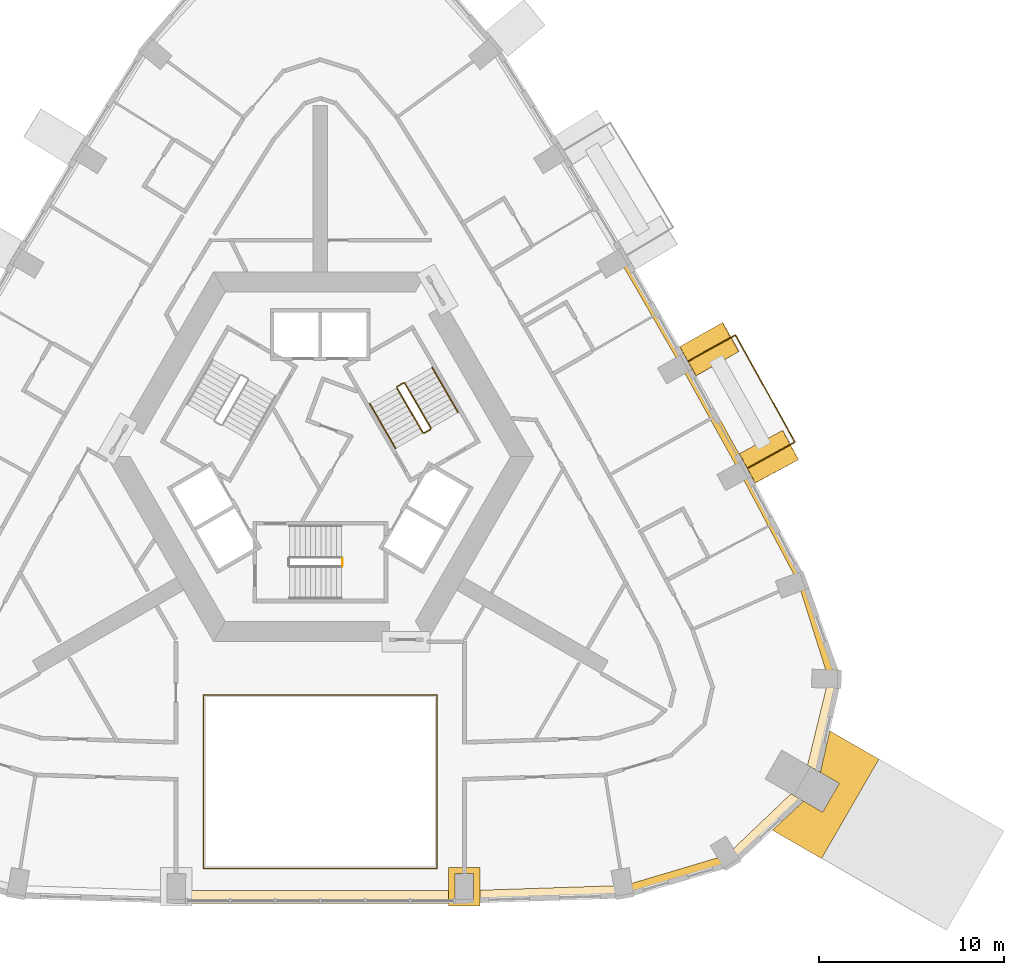
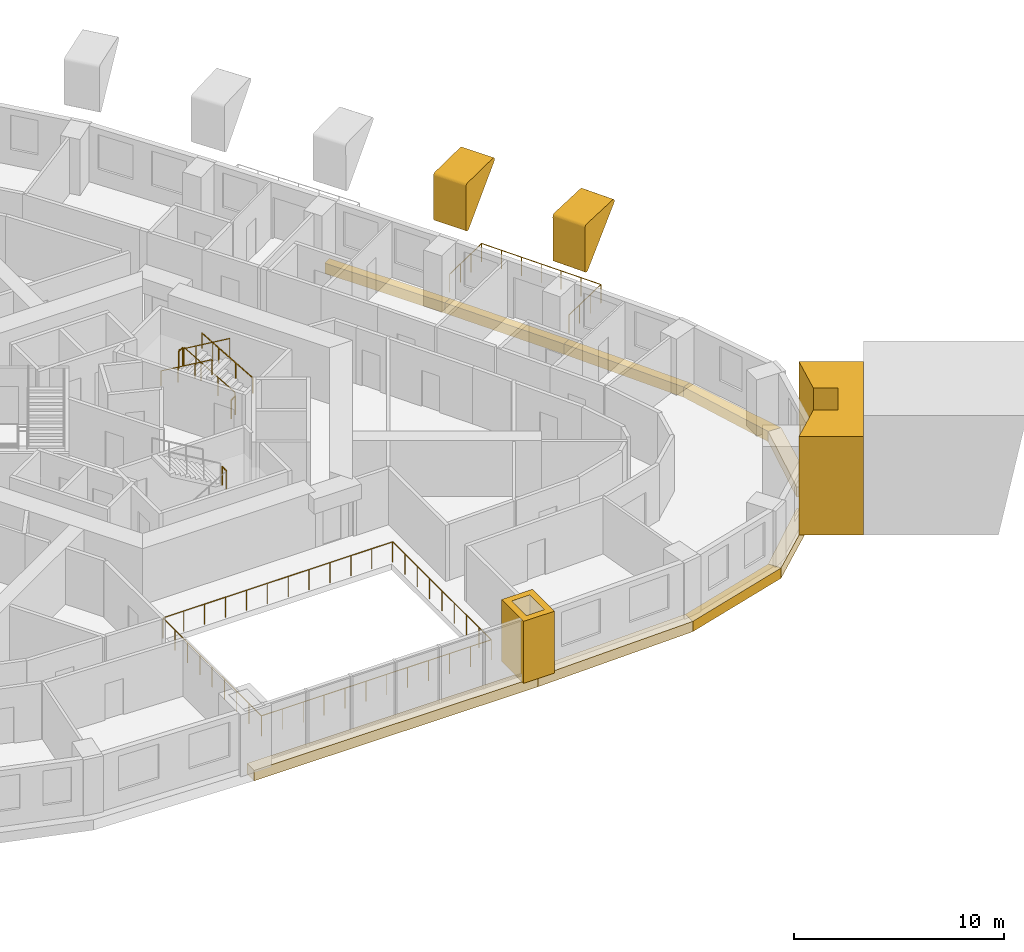
# One storey, part 11 of 12: 13 coverings, 9 railings.
"""IFC4 building model written with IfcOpenShell, lengths in metres."""

from ifc_helpers import new_model, si_unit, direction, frame, origin, origin_2d, place, context, subcontext, project, spatial, polyline, circle, outline, extrude, material, type_object, element, save


model = new_model("IFC4")

# Units and contexts
model_context = context("Model", 3, precision=1e-05, world=origin(), true_north=direction((0.0, 1.0)))
body_context = subcontext(model_context, "Body", "Model", "MODEL_VIEW")
ifc_project = project(units=[si_unit("LENGTHUNIT", "METRE"), si_unit("AREAUNIT", "SQUARE_METRE"), si_unit("VOLUMEUNIT", "CUBIC_METRE"), si_unit("PLANEANGLEUNIT", "RADIAN"), si_unit("MASSUNIT", "GRAM", prefix="KILO")], contexts=[model_context])

# Site, building, storey
site_placement = place(None, origin())
site = spatial("IfcSite", under=ifc_project, at=site_placement, CompositionType="ELEMENT")
building_placement = place(site_placement, origin())
building = spatial("IfcBuilding", under=site, at=building_placement, Name="Entoto Arch Interchange Tower", CompositionType="ELEMENT")
storey_placement = place(building_placement, frame((0.0, 0.0, 273.800048828125)))
storey = spatial("IfcBuildingStorey", under=building, at=storey_placement, Name="L63", CompositionType="ELEMENT", Elevation=273.800048828125)

# Railings
ifc_material_1 = material(Name="Stainless steel 1.4301", Category="steel")
railing_type_1 = type_object("IfcRailingType", Name="ATRIUM GUARD 1200 STEEL AND GLASS", PredefinedType="GUARDRAIL", material=ifc_material_1)
railing_1_placement = place(storey_placement, frame((6.320068359375, -19.77001953125, 0.0)))
element("IfcRailing", 1, at=railing_1_placement, inside=storey, type_object=railing_type_1, Name="Atrium guard L63", PredefinedType="GUARDRAIL", context=body_context, shape_type="SweptSolid", body=[
    extrude(circle(Radius=0.02392578125, at=origin_2d()), frame((0.0, 0.0, 1.17578125), z_axis=(-1.0, 0.0, 0.0), x_axis=(0.0, -1.0, 0.0)), (0.0, 0.0, 1.0), 12.64013671875),
    extrude(circle(Radius=0.02392578125, at=origin_2d()), frame((-12.64013671875, 0.0, 1.17578125), z_axis=(0.0, 1.0, 0.0), x_axis=(-1.0, 0.0, 0.0)), (0.0, 0.0, 1.0), 9.39013671875),
    extrude(circle(Radius=0.02392578125, at=origin_2d()), frame((-12.64013671875, 9.39013671875, 1.17578125), z_axis=(1.0, 0.0, 0.0), x_axis=(0.0, 1.0, 0.0)), (0.0, 0.0, 1.0), 12.64013671875),
    extrude(circle(Radius=0.02392578125, at=origin_2d()), frame((0.0, 9.39013671875, 1.17578125), z_axis=(0.0, -1.0, 0.0), x_axis=(1.0, 0.0, 0.0)), (0.0, 0.0, 1.0), 9.39013671875),
    extrude(circle(Radius=0.02099609375, at=origin_2d()), origin(), (0.0, 0.0, 1.0), 1.15185546875),
    extrude(circle(Radius=0.02099609375, at=origin_2d()), frame((-1.149169921875, 0.0, 0.0)), (0.0, 0.0, 1.0), 1.15185546875),
    extrude(circle(Radius=0.02099609375, at=origin_2d()), frame((-2.298095703125, 0.0, 0.0)), (0.0, 0.0, 1.0), 1.15185546875),
    extrude(circle(Radius=0.02099609375, at=origin_2d()), frame((-3.447265625, 0.0, 0.0)), (0.0, 0.0, 1.0), 1.15185546875),
    extrude(circle(Radius=0.02099609375, at=origin_2d()), frame((-4.596435546875, 0.0, 0.0)), (0.0, 0.0, 1.0), 1.15185546875),
    extrude(circle(Radius=0.02099609375, at=origin_2d()), frame((-5.74560546875, 0.0, 0.0)), (0.0, 0.0, 1.0), 1.15185546875),
    extrude(circle(Radius=0.02099609375, at=origin_2d()), frame((-6.89453125, 0.0, 0.0)), (0.0, 0.0, 1.0), 1.15185546875),
    extrude(circle(Radius=0.02099609375, at=origin_2d()), frame((-8.043701171875, 0.0, 0.0)), (0.0, 0.0, 1.0), 1.15185546875),
    extrude(circle(Radius=0.02099609375, at=origin_2d()), frame((-9.19287109375, 0.0, 0.0)), (0.0, 0.0, 1.0), 1.15185546875),
    extrude(circle(Radius=0.02099609375, at=origin_2d()), frame((-10.342041015625, 0.0, 0.0)), (0.0, 0.0, 1.0), 1.15185546875),
    extrude(circle(Radius=0.02099609375, at=origin_2d()), frame((-11.490966796875, 0.0, 0.0)), (0.0, 0.0, 1.0), 1.15185546875),
    extrude(circle(Radius=0.02099609375, at=origin_2d()), frame((-12.64013671875, 0.0, 0.0)), (0.0, 0.0, 1.0), 1.15185546875),
    extrude(circle(Radius=0.02099609375, at=origin_2d()), frame((-12.64013671875, 1.173828125, 0.0)), (0.0, 0.0, 1.0), 1.15185546875),
    extrude(circle(Radius=0.02099609375, at=origin_2d()), frame((-12.64013671875, 2.34765625, 0.0)), (0.0, 0.0, 1.0), 1.15185546875),
    extrude(circle(Radius=0.02099609375, at=origin_2d()), frame((-12.64013671875, 3.521240234375, 0.0)), (0.0, 0.0, 1.0), 1.15185546875),
    extrude(circle(Radius=0.02099609375, at=origin_2d()), frame((-12.64013671875, 4.695068359375, 0.0)), (0.0, 0.0, 1.0), 1.15185546875),
    extrude(circle(Radius=0.02099609375, at=origin_2d()), frame((-12.64013671875, 5.868896484375, 0.0)), (0.0, 0.0, 1.0), 1.15185546875),
    extrude(circle(Radius=0.02099609375, at=origin_2d()), frame((-12.64013671875, 7.04248046875, 0.0)), (0.0, 0.0, 1.0), 1.15185546875),
    extrude(circle(Radius=0.02099609375, at=origin_2d()), frame((-12.64013671875, 8.21630859375, 0.0)), (0.0, 0.0, 1.0), 1.15185546875),
    extrude(circle(Radius=0.02099609375, at=origin_2d()), frame((-12.64013671875, 9.39013671875, 0.0)), (0.0, 0.0, 1.0), 1.15185546875),
    extrude(circle(Radius=0.02099609375, at=origin_2d()), frame((-11.490966796875, 9.39013671875, 0.0)), (0.0, 0.0, 1.0), 1.15185546875),
    extrude(circle(Radius=0.02099609375, at=origin_2d()), frame((-10.342041015625, 9.39013671875, 0.0)), (0.0, 0.0, 1.0), 1.15185546875),
    extrude(circle(Radius=0.02099609375, at=origin_2d()), frame((-9.19287109375, 9.39013671875, 0.0)), (0.0, 0.0, 1.0), 1.15185546875),
    extrude(circle(Radius=0.02099609375, at=origin_2d()), frame((-8.043701171875, 9.39013671875, 0.0)), (0.0, 0.0, 1.0), 1.15185546875),
    extrude(circle(Radius=0.02099609375, at=origin_2d()), frame((-6.89453125, 9.39013671875, 0.0)), (0.0, 0.0, 1.0), 1.15185546875),
    extrude(circle(Radius=0.02099609375, at=origin_2d()), frame((-5.74560546875, 9.39013671875, 0.0)), (0.0, 0.0, 1.0), 1.15185546875),
    extrude(circle(Radius=0.02099609375, at=origin_2d()), frame((-4.596435546875, 9.39013671875, 0.0)), (0.0, 0.0, 1.0), 1.15185546875),
    extrude(circle(Radius=0.02099609375, at=origin_2d()), frame((-3.447265625, 9.39013671875, 0.0)), (0.0, 0.0, 1.0), 1.15185546875),
    extrude(circle(Radius=0.02099609375, at=origin_2d()), frame((-2.298095703125, 9.39013671875, 0.0)), (0.0, 0.0, 1.0), 1.15185546875),
    extrude(circle(Radius=0.02099609375, at=origin_2d()), frame((-1.149169921875, 9.39013671875, 0.0)), (0.0, 0.0, 1.0), 1.15185546875),
    extrude(circle(Radius=0.02099609375, at=origin_2d()), frame((0.0, 9.39013671875, 0.0)), (0.0, 0.0, 1.0), 1.15185546875),
    extrude(circle(Radius=0.02099609375, at=origin_2d()), frame((0.0, 8.21630859375, 0.0)), (0.0, 0.0, 1.0), 1.15185546875),
    extrude(circle(Radius=0.02099609375, at=origin_2d()), frame((0.0, 7.04248046875, 0.0)), (0.0, 0.0, 1.0), 1.15185546875),
    extrude(circle(Radius=0.02099609375, at=origin_2d()), frame((0.0, 5.868896484375, 0.0)), (0.0, 0.0, 1.0), 1.15185546875),
    extrude(circle(Radius=0.02099609375, at=origin_2d()), frame((0.0, 4.695068359375, 0.0)), (0.0, 0.0, 1.0), 1.15185546875),
    extrude(circle(Radius=0.02099609375, at=origin_2d()), frame((0.0, 3.521240234375, 0.0)), (0.0, 0.0, 1.0), 1.15185546875),
    extrude(circle(Radius=0.02099609375, at=origin_2d()), frame((0.0, 2.34765625, 0.0)), (0.0, 0.0, 1.0), 1.15185546875),
    extrude(circle(Radius=0.02099609375, at=origin_2d()), frame((0.0, 1.173828125, 0.0)), (0.0, 0.0, 1.0), 1.15185546875),
])
railing_type_2 = type_object("IfcRailingType", Name="GUARD 1100 STEEL AND GLASS", PredefinedType="GUARDRAIL", material=ifc_material_1)
railing_2_placement = place(storey_placement, frame((23.083984375, 1.860107421875, 0.0)))
element("IfcRailing", 2, at=railing_2_placement, inside=storey, type_object=railing_type_2, Name="Balcony guard NE-02 L63", PredefinedType="GUARDRAIL", context=body_context, shape_type="SweptSolid", body=[
    extrude(circle(Radius=0.02392578125, at=origin_2d()), frame((0.0, 0.0, 1.076171875), z_axis=(0.874512246935, 0.485003432938, 0.0), x_axis=(-0.485003432938, 0.874512246935, 0.0)), (0.0, 0.0, 1.0), 2.9501953125),
    extrude(circle(Radius=0.02392578125, at=origin_2d()), frame((2.580078125, 1.430908203125, 1.076171875), z_axis=(-0.485007243509, 0.874510133586, 0.0), x_axis=(-0.874510133586, -0.485007243509, 0.0)), (0.0, 0.0, 1.0), 6.620849609375),
    extrude(circle(Radius=0.02392578125, at=origin_2d()), frame((-0.631103515625, 7.220947265625, 1.076171875), z_axis=(-0.874457676154, -0.485101816752, 0.0), x_axis=(0.485101816752, -0.874457676154, 0.0)), (0.0, 0.0, 1.0), 2.9501953125),
    extrude(circle(Radius=0.02099609375, at=origin_2d()), origin(), (0.0, 0.0, 1.0), 1.052001953125),
    extrude(circle(Radius=0.02099609375, at=origin_2d()), frame((0.860107421875, 0.47705078125, 0.0)), (0.0, 0.0, 1.0), 1.052001953125),
    extrude(circle(Radius=0.02099609375, at=origin_2d()), frame((1.719970703125, 0.953857421875, 0.0)), (0.0, 0.0, 1.0), 1.052001953125),
    extrude(circle(Radius=0.02099609375, at=origin_2d()), frame((2.580078125, 1.430908203125, 0.0)), (0.0, 0.0, 1.0), 1.052001953125),
    extrude(circle(Radius=0.02099609375, at=origin_2d()), frame((2.044921875, 2.39599609375, 0.0)), (0.0, 0.0, 1.0), 1.052001953125),
    extrude(circle(Radius=0.02099609375, at=origin_2d()), frame((1.509765625, 3.36083984375, 0.0)), (0.0, 0.0, 1.0), 1.052001953125),
    extrude(circle(Radius=0.02099609375, at=origin_2d()), frame((0.974609375, 4.325927734375, 0.0)), (0.0, 0.0, 1.0), 1.052001953125),
    extrude(circle(Radius=0.02099609375, at=origin_2d()), frame((0.439208984375, 5.291015625, 0.0)), (0.0, 0.0, 1.0), 1.052001953125),
    extrude(circle(Radius=0.02099609375, at=origin_2d()), frame((-0.095947265625, 6.255859375, 0.0)), (0.0, 0.0, 1.0), 1.052001953125),
    extrude(circle(Radius=0.02099609375, at=origin_2d()), frame((-0.631103515625, 7.220947265625, 0.0)), (0.0, 0.0, 1.0), 1.052001953125),
    extrude(circle(Radius=0.02099609375, at=origin_2d()), frame((-1.490966796875, 6.743896484375, 0.0)), (0.0, 0.0, 1.0), 1.052001953125),
    extrude(circle(Radius=0.02099609375, at=origin_2d()), frame((-2.35107421875, 6.266845703125, 0.0)), (0.0, 0.0, 1.0), 1.052001953125),
    extrude(circle(Radius=0.02099609375, at=origin_2d()), frame((-3.2109375, 5.789794921875, 0.0)), (0.0, 0.0, 1.0), 1.052001953125),
])

# Coverings
ifc_material_2 = material(Name="Board-marked precast concrete C50/60", Category="concrete")
covering_type_1 = type_object("IfcCoveringType", Name="PRECAST FRAME COURSE", PredefinedType="CLADDING", material=ifc_material_2)
covering_1_placement = place(storey_placement, frame((0.0, 0.0, -0.340087890625)))
element("IfcCovering", 3, at=covering_1_placement, inside=storey, type_object=covering_type_1, Name="Corner pilaster SE L63-L64", PredefinedType="CLADDING", context=body_context, shape_type="SweptSolid", body=[
    extrude(outline(polyline([(30.205078125, -13.85888671875), (27.10498046875, -19.22900390625), (24.447021484375, -17.694091796875), (26.14208984375, -16.133056640625), (27.1650390625, -16.722900390625), (28.06494140625, -15.1650390625), (27.0419921875, -14.573974609375), (27.547119140625, -12.324951171875), (30.205078125, -13.85888671875)])), origin(), (0.0, 0.0, 1.0), 5.739990234375),
])
covering_2_placement = place(storey_placement, frame((23.738037109375, 1.18994140625, 3.868896484375), z_axis=(0.474120721491, -0.880454881423, 0.002956895589), x_axis=(-0.699773893819, -0.378858795007, -0.605625718555)))
element("IfcCovering", 4, at=covering_2_placement, inside=storey, type_object=covering_type_1, Name="Fold rib NE02 L63-L64", PredefinedType="CLADDING", context=body_context, shape_type="SweptSolid", body=[
    extrude(outline(polyline([(0.0, 0.0), (0.044343596291880866, -6.938893903907228e-18), (0.08669355049634142, -0.013212893812637266), (0.12358647386317043, -0.037609429279093394), (0.15213040192608054, -0.07191109185402957), (0.16814021856475156, -0.11293451212298516), (0.17300664541990143, -0.15683196104425615), (0.16823952480637813, -0.18602987152754596), (0.15107101383985577, -0.2269626307027553), (-1.3576003577582392, -2.2103289262052592), (-1.3891115511020686, -2.241575481439072), (-1.414470735452972, -2.2563296117511067), (-1.4426054136928108, -2.2649834505306297), (-1.485910241274121, -2.269761707613407), (-1.515299628020215, -2.2648838069922825), (-1.5427705105168144, -2.254099644813091), (-1.5679263925194762, -2.2386355808282548), (-3.456731478549651, -0.8011003492773299), (-3.4877889899171093, -0.7701013357455908), (-3.5024102704870996, -0.7451641074455335), (-3.5118764175572172, -0.7177126040792443), (-3.5162787033280916, -0.6879760549035157), (-3.511753602348289, -0.6450899073512248), (-3.5017893461186897, -0.6173907228415714), (-3.486471810693014, -0.5925413002302533), (-3.466969159147018, -0.5708752470333958), (-3.4437573426291266, -0.5535639835732884), (-3.4176587529398184, -0.5405959508829032), (-3.389432133122572, -0.5332410286190581), (0.0, 0.0)])), origin(), (0.0, 0.0, -1.0), 1.800048828125),
])
covering_3_placement = place(storey_placement, frame((20.5400390625, 6.992919921875, 3.868896484375), z_axis=(0.491234339575, -0.871022463538, 0.002948157656), x_axis=(-0.682983300199, -0.387281262187, -0.619311743476)))
element("IfcCovering", 5, at=covering_3_placement, inside=storey, type_object=covering_type_1, Name="Fold rib NE03 L63-L64", PredefinedType="CLADDING", context=body_context, shape_type="SweptSolid", body=[
    extrude(outline(polyline([(0.0, 0.0), (0.044937213128056167, 3.469446951953614e-18), (0.08712106202286095, -0.013993406819062262), (0.12291216089998598, -0.03849487419349873), (0.15123465283001797, -0.0735827264217372), (0.16652914868987903, -0.1148778254166524), (0.17078684992889562, -0.14497708531739023), (0.1651275861184642, -0.18902216564043436), (0.14667163440007724, -0.2291912049635509), (-1.3956470499780105, -2.186509712844942), (-1.4279993664274129, -2.2169600899251463), (-1.4539827527527822, -2.2309814609085636), (-1.4814970551605509, -2.239750852752085), (-1.5253437358184248, -2.2434130569785755), (-1.5548139725842938, -2.237890815013386), (-1.5816284169595631, -2.22700330241183), (-1.6065070797250687, -2.211108385345488), (-3.4762526673457295, -0.7362687181692908), (-3.506978800960062, -0.704571478803983), (-3.5209545309210997, -0.6795556133218981), (-3.530177294622753, -0.6505124786968757), (-3.5338278682797775, -0.6221349703225116), (-3.5317071360876087, -0.5933342030488233), (-3.5237461053962615, -0.5650967488178051), (-3.510978894066657, -0.5397197936740685), (-3.4930483737427362, -0.5156146955312921), (-3.4715691826779778, -0.4968007730228232), (-3.446252772231709, -0.48225149558753166), (-3.404386535621329, -0.4695671202912457), (0.0, 0.0)])), origin(), (0.0, 0.0, -1.0), 1.800048828125),
])
covering_4_placement = place(storey_placement, frame((0.0, 0.0, -0.340087890625)))
element("IfcCovering", 6, at=covering_4_placement, inside=storey, type_object=covering_type_1, Name="Gate pier L63", PredefinedType="CLADDING", context=body_context, shape_type="SweptSolid", body=[
    extrude(outline(polyline([(6.93408203125, -19.699951171875), (8.634033203125, -19.699951171875), (8.634033203125, -21.800048828125), (6.93408203125, -21.800048828125), (6.93408203125, -19.699951171875)]), holes=[polyline([(7.283935546875, -20.050048828125), (7.283935546875, -21.449951171875), (8.283935546875, -21.449951171875), (8.283935546875, -20.050048828125), (7.283935546875, -20.050048828125)])]), origin(), (0.0, 0.0, 1.0), 3.60009765625),
])
covering_type_2 = type_object("IfcCoveringType", Name="PRECAST LEDGE COURSE", PredefinedType="CLADDING", material=ifc_material_2)
covering_5_placement = place(storey_placement, frame((0.0, 0.0, -0.93994140625)))
element("IfcCovering", 7, at=covering_5_placement, inside=storey, type_object=covering_type_2, Name="Precast course S-02 L63", PredefinedType="CLADDING", context=body_context, shape_type="SweptSolid", body=[
    extrude(outline(polyline([(7.800048828125, -20.968994140625), (7.800048828125, -21.64990234375), (-7.800048828125, -21.64990234375), (-7.800048828125, -20.968994140625), (7.800048828125, -20.968994140625)])), origin(), (0.0, 0.0, 1.0), 0.599853515625),
])
covering_6_placement = place(storey_placement, frame((0.0, 0.0, -0.93994140625)))
element("IfcCovering", 8, at=covering_6_placement, inside=storey, type_object=covering_type_2, Name="Precast course S-03 L63", PredefinedType="CLADDING", context=body_context, shape_type="SweptSolid", body=[
    extrude(outline(polyline([(16.47998046875, -20.679931640625), (16.47998046875, -21.3740234375), (7.800048828125, -21.64990234375), (7.800048828125, -20.968994140625), (16.47998046875, -20.679931640625)])), origin(), (0.0, 0.0, 1.0), 0.599853515625),
])
covering_7_placement = place(storey_placement, frame((0.0, 0.0, -0.93994140625)))
element("IfcCovering", 9, at=covering_7_placement, inside=storey, type_object=covering_type_2, Name="Precast course SE-01 L63", PredefinedType="CLADDING", context=body_context, shape_type="SweptSolid", body=[
    extrude(outline(polyline([(21.97705078125, -19.0419921875), (22.340087890625, -19.635009765625), (16.47998046875, -21.3740234375), (16.47998046875, -20.679931640625), (21.97705078125, -19.0419921875)])), origin(), (0.0, 0.0, 1.0), 0.599853515625),
])
covering_8_placement = place(storey_placement, frame((0.0, 0.0, -0.93994140625)))
element("IfcCovering", 10, at=covering_8_placement, inside=storey, type_object=covering_type_2, Name="Precast course SE-02 L63", PredefinedType="CLADDING", context=body_context, shape_type="SweptSolid", body=[
    extrude(outline(polyline([(25.446044921875, -15.73095703125), (26.14208984375, -16.133056640625), (22.340087890625, -19.635009765625), (21.97705078125, -19.0419921875), (25.446044921875, -15.73095703125)])), origin(), (0.0, 0.0, 1.0), 0.599853515625),
])
covering_9_placement = place(storey_placement, frame((0.0, 0.0, -0.93994140625)))
element("IfcCovering", 11, at=covering_9_placement, inside=storey, type_object=covering_type_2, Name="Precast course SE-03 L63", PredefinedType="CLADDING", context=body_context, shape_type="SweptSolid", body=[
    extrude(outline(polyline([(27.47900390625, -9.510986328125), (28.174072265625, -9.529052734375), (27.0419921875, -14.573974609375), (26.345947265625, -14.173095703125), (27.47900390625, -9.510986328125)])), origin(), (0.0, 0.0, 1.0), 0.599853515625),
])
covering_10_placement = place(storey_placement, frame((0.0, 0.0, -0.93994140625)))
element("IfcCovering", 12, at=covering_10_placement, inside=storey, type_object=covering_type_2, Name="Precast course SE-04 L63", PredefinedType="CLADDING", context=body_context, shape_type="SweptSolid", body=[
    extrude(outline(polyline([(25.83203125, -4.299072265625), (26.27294921875, -4.135986328125), (28.174072265625, -9.529052734375), (27.47900390625, -9.510986328125), (25.83203125, -4.299072265625)])), origin(), (0.0, 0.0, 1.0), 0.599853515625),
])
covering_11_placement = place(storey_placement, frame((0.0, 0.0, -0.93994140625)))
element("IfcCovering", 13, at=covering_11_placement, inside=storey, type_object=covering_type_2, Name="Precast course NE-01 L63", PredefinedType="CLADDING", context=body_context, shape_type="SweptSolid", body=[
    extrude(outline(polyline([(22.681884765625, 1.64404296875), (23.083984375, 1.860107421875), (26.27294921875, -4.135986328125), (25.83203125, -4.299072265625), (22.681884765625, 1.64404296875)])), origin(), (0.0, 0.0, 1.0), 0.599853515625),
])
covering_12_placement = place(storey_placement, frame((0.0, 0.0, -0.93994140625)))
element("IfcCovering", 14, at=covering_12_placement, inside=storey, type_object=covering_type_2, Name="Precast course NE-02 L63", PredefinedType="CLADDING", context=body_context, shape_type="SweptSolid", body=[
    extrude(outline(polyline([(19.47998046875, 7.428955078125), (19.873046875, 7.64990234375), (23.083984375, 1.860107421875), (22.681884765625, 1.64404296875), (19.47998046875, 7.428955078125)])), origin(), (0.0, 0.0, 1.0), 0.599853515625),
])
covering_13_placement = place(storey_placement, frame((0.0, 0.0, -0.93994140625)))
element("IfcCovering", 15, at=covering_13_placement, inside=storey, type_object=covering_type_2, Name="Precast course NE-03 L63", PredefinedType="CLADDING", context=body_context, shape_type="SweptSolid", body=[
    extrude(outline(polyline([(16.174072265625, 13.155029296875), (16.56201171875, 13.385009765625), (19.873046875, 7.64990234375), (19.47998046875, 7.428955078125), (16.174072265625, 13.155029296875)])), origin(), (0.0, 0.0, 1.0), 0.599853515625),
])

# Railings
railing_type_3 = type_object("IfcRailingType", Name="STAIR GUARD 1100 STEEL", PredefinedType="GUARDRAIL", material=ifc_material_1)
railing_3_placement = place(storey_placement, frame((1.199951171875, -3.39990234375, 1.800048828125)))
element("IfcRailing", 16, at=railing_3_placement, inside=storey, type_object=railing_type_3, Name="L63 ST-S stair guard 2", PredefinedType="GUARDRAIL", context=body_context, shape_type="SweptSolid", body=[
    extrude(circle(Radius=0.02392578125, at=origin_2d()), frame((0.0, 0.0, 1.076171875), z_axis=(0.0, 1.0, 0.0), x_axis=(-1.0, 0.0, 0.0)), (0.0, 0.0, 1.0), 0.39990234375),
    extrude(circle(Radius=0.02099609375, at=origin_2d()), origin(), (0.0, 0.0, 1.0), 1.052001953125),
    extrude(circle(Radius=0.02099609375, at=origin_2d()), frame((0.0, 0.39990234375, 0.0)), (0.0, 0.0, 1.0), 1.052001953125),
])
railing_4_placement = place(storey_placement, frame((5.977783203125, 4.046142578125, 0.16357421875)))
element("IfcRailing", 17, at=railing_4_placement, inside=storey, type_object=railing_type_3, Name="L63 ST-NE stair guard 1", PredefinedType="GUARDRAIL", context=body_context, shape_type="SweptSolid", body=[
    extrude(circle(Radius=0.02392578125, at=origin_2d()), frame((0.0, 0.0, 1.076171875), z_axis=(-0.431660630283, 0.747689811644, 0.504607813879), x_axis=(-0.866034573852, -0.49998411664, 0.0)), (0.0, 0.0, 1.0), 3.2431640625),
    extrude(circle(Radius=0.02099609375, at=origin_2d()), origin(), (0.0, 0.0, 1.0), 1.052001953125),
    extrude(circle(Radius=0.02099609375, at=origin_2d()), frame((-0.466552734375, 0.808349609375, 0.54541015625)), (0.0, 0.0, 1.0), 1.052001953125),
    extrude(circle(Radius=0.02099609375, at=origin_2d()), frame((-0.933349609375, 1.616455078125, 1.091064453125)), (0.0, 0.0, 1.0), 1.052001953125),
    extrude(circle(Radius=0.02099609375, at=origin_2d()), frame((-1.39990234375, 2.4248046875, 1.636474609375)), (0.0, 0.0, 1.0), 1.052001953125),
])
railing_5_placement = place(storey_placement, frame((4.509521484375, 6.4892578125, 1.800048828125)))
element("IfcRailing", 18, at=railing_5_placement, inside=storey, type_object=railing_type_3, Name="L63 ST-NE stair guard 2", PredefinedType="GUARDRAIL", context=body_context, shape_type="SweptSolid", body=[
    extrude(circle(Radius=0.02392578125, at=origin_2d()), frame((0.0, 0.0, 1.076171875), z_axis=(-0.866094119867, -0.499880961361, 0.0), x_axis=(0.499880961361, -0.866094119867, 0.0)), (0.0, 0.0, 1.0), 0.39990234375),
    extrude(circle(Radius=0.02099609375, at=origin_2d()), origin(), (0.0, 0.0, 1.0), 1.052001953125),
    extrude(circle(Radius=0.02099609375, at=origin_2d()), frame((-0.346435546875, -0.199951171875, 0.0)), (0.0, 0.0, 1.0), 1.052001953125),
])
railing_6_placement = place(storey_placement, frame((4.144775390625, 6.220947265625, 1.963623046875)))
element("IfcRailing", 19, at=railing_6_placement, inside=storey, type_object=railing_type_3, Name="L63 ST-NE stair guard 3", PredefinedType="GUARDRAIL", context=body_context, shape_type="SweptSolid", body=[
    extrude(circle(Radius=0.02392578125, at=origin_2d()), frame((0.0, 0.0, 1.076171875), z_axis=(0.431738279637, -0.747693913401, 0.504535300807), x_axis=(0.865996816683, 0.500049511043, 0.0)), (0.0, 0.0, 1.0), 3.2431640625),
    extrude(circle(Radius=0.02099609375, at=origin_2d()), origin(), (0.0, 0.0, 1.0), 1.052001953125),
    extrude(circle(Radius=0.02099609375, at=origin_2d()), frame((0.466796875, -0.808349609375, 0.54541015625)), (0.0, 0.0, 1.0), 1.052001953125),
    extrude(circle(Radius=0.02099609375, at=origin_2d()), frame((0.933349609375, -1.616455078125, 1.0908203125)), (0.0, 0.0, 1.0), 1.052001953125),
    extrude(circle(Radius=0.02099609375, at=origin_2d()), frame((1.400146484375, -2.4248046875, 1.63623046875)), (0.0, 0.0, 1.0), 1.052001953125),
])
railing_7_placement = place(storey_placement, frame((5.95947265625, 3.977783203125, 0.0)))
element("IfcRailing", 20, at=railing_7_placement, inside=storey, type_object=railing_type_3, Name="L63 ST-NE stair guard 4", PredefinedType="GUARDRAIL", context=body_context, shape_type="SweptSolid", body=[
    extrude(circle(Radius=0.02392578125, at=origin_2d()), frame((0.0, 0.0, 1.076171875), z_axis=(-0.866094119867, -0.499880961361, 0.0), x_axis=(0.499880961361, -0.866094119867, 0.0)), (0.0, 0.0, 1.0), 0.39990234375),
    extrude(circle(Radius=0.02099609375, at=origin_2d()), origin(), (0.0, 0.0, 1.0), 1.052001953125),
    extrude(circle(Radius=0.02099609375, at=origin_2d()), frame((-0.346435546875, -0.199951171875, 0.0)), (0.0, 0.0, 1.0), 1.052001953125),
])
railing_type_4 = type_object("IfcRailingType", Name="STAIR HANDRAIL 900 STEEL", PredefinedType="HANDRAIL", material=ifc_material_1)
railing_8_placement = place(storey_placement, frame((7.4501953125, 4.89599609375, 0.16357421875)))
element("IfcRailing", 21, at=railing_8_placement, inside=storey, type_object=railing_type_4, Name="L63 ST-NE stair handrail 1", PredefinedType="HANDRAIL", context=body_context, shape_type="SweptSolid", body=[
    extrude(circle(Radius=0.02392578125, at=origin_2d()), frame((0.0, 0.0, 0.8759765625), z_axis=(-0.431697583215, 0.747698708645, 0.504563016616), x_axis=(-0.866018616679, -0.500011755427, 0.0)), (0.0, 0.0, 1.0), 3.243408203125),
    extrude(circle(Radius=0.02099609375, at=origin_2d()), origin(), (0.0, 0.0, 1.0), 0.851806640625),
    extrude(circle(Radius=0.02099609375, at=origin_2d()), frame((-0.466796875, 0.808349609375, 0.54541015625)), (0.0, 0.0, 1.0), 0.851806640625),
    extrude(circle(Radius=0.02099609375, at=origin_2d()), frame((-0.933349609375, 1.61669921875, 1.091064453125)), (0.0, 0.0, 1.0), 0.851806640625),
    extrude(circle(Radius=0.02099609375, at=origin_2d()), frame((-1.400146484375, 2.425048828125, 1.636474609375)), (0.0, 0.0, 1.0), 0.851806640625),
])
railing_9_placement = place(storey_placement, frame((2.672607421875, 5.370849609375, 1.963623046875)))
element("IfcRailing", 22, at=railing_9_placement, inside=storey, type_object=railing_type_4, Name="L63 ST-NE stair handrail 2", PredefinedType="HANDRAIL", context=body_context, shape_type="SweptSolid", body=[
    extrude(circle(Radius=0.02392578125, at=origin_2d()), frame((0.0, 0.0, 0.8759765625), z_axis=(0.431677027627, -0.74771821388, 0.504551698492), x_axis=(0.866034573852, 0.49998411664, 0.0)), (0.0, 0.0, 1.0), 3.242919921875),
    extrude(circle(Radius=0.02099609375, at=origin_2d()), origin(), (0.0, 0.0, 1.0), 0.851806640625),
    extrude(circle(Radius=0.02099609375, at=origin_2d()), frame((0.466552734375, -0.808349609375, 0.54541015625)), (0.0, 0.0, 1.0), 0.851806640625),
    extrude(circle(Radius=0.02099609375, at=origin_2d()), frame((0.933349609375, -1.616455078125, 1.0908203125)), (0.0, 0.0, 1.0), 0.851806640625),
    extrude(circle(Radius=0.02099609375, at=origin_2d()), frame((1.39990234375, -2.4248046875, 1.63623046875)), (0.0, 0.0, 1.0), 0.851806640625),
])

save(model, "model.ifc")
